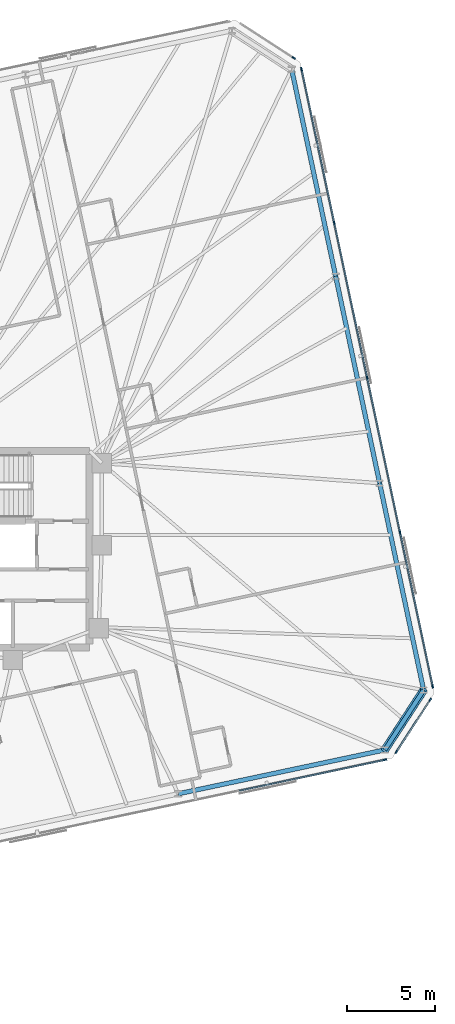
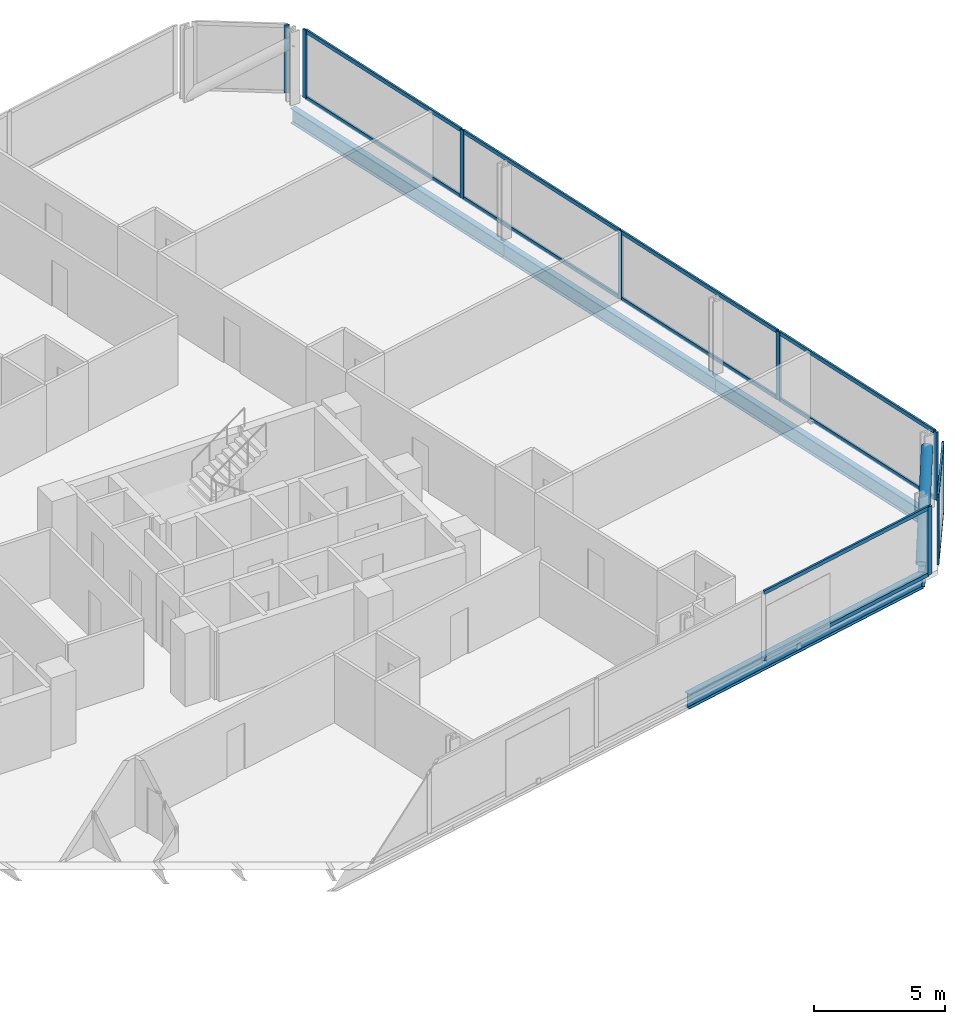
# One storey, part 12 of 19: 22 members, 5 beams, 4 elements without a shape of their own.
"""IFC4 building model written with IfcOpenShell, lengths in metres."""

from ifc_helpers import new_model, si_unit, direction, frame, origin, origin_2d, place, context, subcontext, project, spatial, rectangle, hollow_circle, i_section, extrude, material, material_profile, profile_set, type_object, element, aggregate, save


model = new_model("IFC4")

# Units and contexts
model_context = context("Model", 3, precision=1e-05, world=origin(), true_north=direction((0.0, 1.0)))
body_context = subcontext(model_context, "Body", "Model", "MODEL_VIEW")
ifc_project = project(units=[si_unit("LENGTHUNIT", "METRE"), si_unit("AREAUNIT", "SQUARE_METRE"), si_unit("VOLUMEUNIT", "CUBIC_METRE"), si_unit("PLANEANGLEUNIT", "RADIAN"), si_unit("MASSUNIT", "GRAM", prefix="KILO")], contexts=[model_context])

# Site, building, storey
site_placement = place(None, origin())
site = spatial("IfcSite", under=ifc_project, at=site_placement, CompositionType="ELEMENT")
building_placement = place(site_placement, origin())
building = spatial("IfcBuilding", under=site, at=building_placement, Name="Menara Jurai Vektor", CompositionType="ELEMENT")
storey_placement = place(building_placement, frame((0.0, 0.0, 182.0)))
storey = spatial("IfcBuildingStorey", under=building, at=storey_placement, Name="L47", CompositionType="ELEMENT", Elevation=182.0)

# Curtain wall, member
ifc_material_1 = material(Name="Anodised Pale Aluminium & Low-E Double Glazing", Category="aluminium")
curtain_wall_type = type_object("IfcCurtainWallType", Name="CW-BLK3", PredefinedType="NOTDEFINED", material=ifc_material_1)
curtain_wall_1_placement = place(storey_placement, origin())
curtain_wall_1 = element("IfcCurtainWall", 1, at=curtain_wall_1_placement, inside=storey, type_object=curtain_wall_type, Name="Unitised Curtain Wall L47 F01", PredefinedType="NOTDEFINED")
ifc_material_2 = material(Name="Anodised Pale Aluminium Mullion", Category="aluminium")
ifc_material_profile_1 = material_profile(ifc_material_2, rectangle(XDim=0.0849609375, YDim=0.205078125, at=origin_2d()), Name="ALU MUL 85x205")
ifc_profile_set_1 = profile_set([ifc_material_profile_1], Name="Anodised Pale Aluminium Mullion")
member_type_1 = type_object("IfcMemberType", Name="CW-BLK3-MUL", PredefinedType="MULLION", material=ifc_profile_set_1)
member_1_placement = place(storey_placement, frame((31.392578125, -11.99755859375, 0.0), z_axis=(0.0, 0.0, 1.0), x_axis=(-0.207911344156, 0.978147674419, 0.0)))
member_1 = element("IfcMember", 2, at=member_1_placement, type_object=member_type_1, Name="CW-03 mullion 8", PredefinedType="MULLION", context=body_context, shape_type="SweptSolid", body=[
    extrude(rectangle(XDim=0.0849609375, YDim=0.205078125, at=origin_2d()), origin(), (0.0, 0.0, 1.0), 3.175048828125),
])

# Curtain wall, members
curtain_wall_2_placement = place(storey_placement, origin())
curtain_wall_2 = element("IfcCurtainWall", 3, at=curtain_wall_2_placement, inside=storey, type_object=curtain_wall_type, Name="Unitised Curtain Wall L47 F02", PredefinedType="NOTDEFINED")
member_2_placement = place(storey_placement, frame((32.035888671875, -11.555419921875, 0.0), z_axis=(0.0, 0.0, 1.0), x_axis=(-0.838684361415, 0.544617794346, 0.0)))
member_2 = element("IfcMember", 4, at=member_2_placement, type_object=member_type_1, Name="CW-03 mullion 1", PredefinedType="MULLION", context=body_context, shape_type="SweptSolid", body=[
    extrude(rectangle(XDim=0.0849609375, YDim=0.205078125, at=origin_2d()), origin(), (0.0, 0.0, 1.0), 3.175048828125),
])
member_3_placement = place(storey_placement, frame((33.96337890625, -8.587158203125, 0.0), z_axis=(0.0, 0.0, 1.0), x_axis=(-0.838684361415, 0.544617794346, 0.0)))
member_3 = element("IfcMember", 5, at=member_3_placement, type_object=member_type_1, Name="CW-03 mullion 2", PredefinedType="MULLION", context=body_context, shape_type="SweptSolid", body=[
    extrude(rectangle(XDim=0.0849609375, YDim=0.205078125, at=origin_2d()), origin(), (0.0, 0.0, 1.0), 3.175048828125),
])

curtain_wall_3_placement = place(storey_placement, origin())
curtain_wall_3 = element("IfcCurtainWall", 6, at=curtain_wall_3_placement, inside=storey, type_object=curtain_wall_type, Name="Unitised Curtain Wall L47 F03", PredefinedType="NOTDEFINED")
member_4_placement = place(storey_placement, frame((34.105712890625, -7.819580078125, 0.0), z_axis=(0.0, 0.0, 1.0), x_axis=(-0.978147883949, -0.20791035839, 0.0)))
member_4 = element("IfcMember", 7, at=member_4_placement, type_object=member_type_1, Name="CW-03 mullion 1", PredefinedType="MULLION", context=body_context, shape_type="SweptSolid", body=[
    extrude(rectangle(XDim=0.0849609375, YDim=0.205078125, at=origin_2d()), origin(), (0.0, 0.0, 1.0), 3.175048828125),
])
member_5_placement = place(storey_placement, frame((32.2412109375, 0.951904296875, 0.0), z_axis=(0.0, 0.0, 1.0), x_axis=(-0.978147883949, -0.20791035839, 0.0)))
member_5 = element("IfcMember", 8, at=member_5_placement, type_object=member_type_1, Name="CW-03 mullion 2", PredefinedType="MULLION", context=body_context, shape_type="SweptSolid", body=[
    extrude(rectangle(XDim=0.0849609375, YDim=0.205078125, at=origin_2d()), origin(), (0.0, 0.0, 1.0), 3.175048828125),
])
member_6_placement = place(storey_placement, frame((30.367919921875, 9.76513671875, 0.0), z_axis=(0.0, 0.0, 1.0), x_axis=(-0.978147883949, -0.20791035839, 0.0)))
member_6 = element("IfcMember", 9, at=member_6_placement, type_object=member_type_1, Name="CW-03 mullion 3", PredefinedType="MULLION", context=body_context, shape_type="SweptSolid", body=[
    extrude(rectangle(XDim=0.0849609375, YDim=0.205078125, at=origin_2d()), origin(), (0.0, 0.0, 1.0), 3.175048828125),
])
member_7_placement = place(storey_placement, frame((28.49462890625, 18.578125, 0.0), z_axis=(0.0, 0.0, 1.0), x_axis=(-0.978147883949, -0.20791035839, 0.0)))
member_7 = element("IfcMember", 10, at=member_7_placement, type_object=member_type_1, Name="CW-03 mullion 4", PredefinedType="MULLION", context=body_context, shape_type="SweptSolid", body=[
    extrude(rectangle(XDim=0.0849609375, YDim=0.205078125, at=origin_2d()), origin(), (0.0, 0.0, 1.0), 3.175048828125),
])
member_8_placement = place(storey_placement, frame((26.630126953125, 27.349609375, 0.0), z_axis=(0.0, 0.0, 1.0), x_axis=(-0.978147883949, -0.20791035839, 0.0)))
member_8 = element("IfcMember", 11, at=member_8_placement, type_object=member_type_1, Name="CW-03 mullion 5", PredefinedType="MULLION", context=body_context, shape_type="SweptSolid", body=[
    extrude(rectangle(XDim=0.0849609375, YDim=0.205078125, at=origin_2d()), origin(), (0.0, 0.0, 1.0), 3.175048828125),
])

# Curtain wall, member
curtain_wall_4_placement = place(storey_placement, origin())
curtain_wall_4 = element("IfcCurtainWall", 12, at=curtain_wall_4_placement, inside=storey, type_object=curtain_wall_type, Name="Unitised Curtain Wall L47 F04", PredefinedType="NOTDEFINED")
member_9_placement = place(storey_placement, frame((26.18798828125, 27.9931640625, 0.0), z_axis=(0.0, 0.0, 1.0), x_axis=(-0.544617794346, -0.838684361415, 0.0)))
member_9 = element("IfcMember", 13, at=member_9_placement, type_object=member_type_1, Name="CW-03 mullion 1", PredefinedType="MULLION", context=body_context, shape_type="SweptSolid", body=[
    extrude(rectangle(XDim=0.0849609375, YDim=0.205078125, at=origin_2d()), origin(), (0.0, 0.0, 1.0), 3.175048828125),
])
aggregate(curtain_wall_4, [member_9])

# Member
ifc_material_3 = material(Name="Anodised Pale Aluminium Transom", Category="aluminium")
ifc_material_profile_2 = material_profile(ifc_material_3, rectangle(XDim=0.0849609375, YDim=0.175048828125, at=origin_2d()), Name="ALU TRN 85x175")
ifc_profile_set_2 = profile_set([ifc_material_profile_2], Name="Anodised Pale Aluminium Transom")
member_type_2 = type_object("IfcMemberType", Name="CW-BLK3-TRN", PredefinedType="USERDEFINED", material=ifc_profile_set_2)
member_10_placement = place(storey_placement, frame((23.0859375, -13.76318359375, 0.04248046875), z_axis=(0.978146953428, 0.207914736128, 0.0), x_axis=(-0.207914736128, 0.978146953428, 0.0)))
member_10 = element("IfcMember", 14, at=member_10_placement, type_object=member_type_2, Name="CW-03 transom 7.1", ObjectType="TRANSOM", PredefinedType="USERDEFINED", context=body_context, shape_type="SweptSolid", body=[
    extrude(rectangle(XDim=0.0849609375, YDim=0.175048828125, at=origin_2d()), origin(), (0.0, 0.0, 1.0), 8.44970703125),
])

member_11_placement = place(storey_placement, frame((23.0859375, -13.76318359375, 3.132568359375), z_axis=(0.978146953428, 0.207914736128, 0.0), x_axis=(-0.207914736128, 0.978146953428, 0.0)))
member_11 = element("IfcMember", 15, at=member_11_placement, type_object=member_type_2, Name="CW-03 transom 7.2", ObjectType="TRANSOM", PredefinedType="USERDEFINED", context=body_context, shape_type="SweptSolid", body=[
    extrude(rectangle(XDim=0.0849609375, YDim=0.175048828125, at=origin_2d()), origin(), (0.0, 0.0, 1.0), 8.44970703125),
])

aggregate(curtain_wall_1, [member_1, member_10, member_11])

member_12_placement = place(storey_placement, frame((32.05908203125, -11.519775390625, 0.04248046875), z_axis=(0.54459575764, 0.838698671014, 0.0), x_axis=(-0.838698671014, 0.54459575764, 0.0)))
member_12 = element("IfcMember", 16, at=member_12_placement, type_object=member_type_2, Name="CW-03 transom 1.1", ObjectType="TRANSOM", PredefinedType="USERDEFINED", context=body_context, shape_type="SweptSolid", body=[
    extrude(rectangle(XDim=0.0849609375, YDim=0.175048828125, at=origin_2d()), origin(), (0.0, 0.0, 1.0), 3.4541015625),
])

member_13_placement = place(storey_placement, frame((32.05908203125, -11.519775390625, 3.132568359375), z_axis=(0.54459575764, 0.838698671014, 0.0), x_axis=(-0.838698671014, 0.54459575764, 0.0)))
member_13 = element("IfcMember", 17, at=member_13_placement, type_object=member_type_2, Name="CW-03 transom 1.2", ObjectType="TRANSOM", PredefinedType="USERDEFINED", context=body_context, shape_type="SweptSolid", body=[
    extrude(rectangle(XDim=0.0849609375, YDim=0.175048828125, at=origin_2d()), origin(), (0.0, 0.0, 1.0), 3.4541015625),
])

aggregate(curtain_wall_2, [member_2, member_3, member_12, member_13])

member_14_placement = place(storey_placement, frame((34.096923828125, -7.778076171875, 0.04248046875), z_axis=(-0.207925814542, 0.978144598537, 0.0), x_axis=(-0.978144598537, -0.207925814542, 0.0)))
member_14 = element("IfcMember", 18, at=member_14_placement, type_object=member_type_2, Name="CW-03 transom 1.1", ObjectType="TRANSOM", PredefinedType="USERDEFINED", context=body_context, shape_type="SweptSolid", body=[
    extrude(rectangle(XDim=0.0849609375, YDim=0.175048828125, at=origin_2d()), origin(), (0.0, 0.0, 1.0), 8.882568359375),
])

member_15_placement = place(storey_placement, frame((34.096923828125, -7.778076171875, 3.132568359375), z_axis=(-0.207925814542, 0.978144598537, 0.0), x_axis=(-0.978144598537, -0.207925814542, 0.0)))
member_15 = element("IfcMember", 19, at=member_15_placement, type_object=member_type_2, Name="CW-03 transom 1.2", ObjectType="TRANSOM", PredefinedType="USERDEFINED", context=body_context, shape_type="SweptSolid", body=[
    extrude(rectangle(XDim=0.0849609375, YDim=0.175048828125, at=origin_2d()), origin(), (0.0, 0.0, 1.0), 8.882568359375),
])

member_16_placement = place(storey_placement, frame((32.232421875, 0.993408203125, 0.04248046875), z_axis=(-0.207922224243, 0.978145361726, 0.0), x_axis=(-0.978145361726, -0.207922224243, 0.0)))
member_16 = element("IfcMember", 20, at=member_16_placement, type_object=member_type_2, Name="CW-03 transom 2.1", ObjectType="TRANSOM", PredefinedType="USERDEFINED", context=body_context, shape_type="SweptSolid", body=[
    extrude(rectangle(XDim=0.0849609375, YDim=0.175048828125, at=origin_2d()), origin(), (0.0, 0.0, 1.0), 8.925048828125),
])

member_17_placement = place(storey_placement, frame((32.232421875, 0.993408203125, 3.132568359375), z_axis=(-0.207922224243, 0.978145361726, 0.0), x_axis=(-0.978145361726, -0.207922224243, 0.0)))
member_17 = element("IfcMember", 21, at=member_17_placement, type_object=member_type_2, Name="CW-03 transom 2.2", ObjectType="TRANSOM", PredefinedType="USERDEFINED", context=body_context, shape_type="SweptSolid", body=[
    extrude(rectangle(XDim=0.0849609375, YDim=0.175048828125, at=origin_2d()), origin(), (0.0, 0.0, 1.0), 8.925048828125),
])

member_18_placement = place(storey_placement, frame((30.359130859375, 9.806640625, 0.04248046875), z_axis=(-0.207922224243, 0.978145361726, 0.0), x_axis=(-0.978145361726, -0.207922224243, 0.0)))
member_18 = element("IfcMember", 22, at=member_18_placement, type_object=member_type_2, Name="CW-03 transom 3.1", ObjectType="TRANSOM", PredefinedType="USERDEFINED", context=body_context, shape_type="SweptSolid", body=[
    extrude(rectangle(XDim=0.0849609375, YDim=0.175048828125, at=origin_2d()), origin(), (0.0, 0.0, 1.0), 8.925048828125),
])

member_19_placement = place(storey_placement, frame((30.359130859375, 9.806640625, 3.132568359375), z_axis=(-0.207922224243, 0.978145361726, 0.0), x_axis=(-0.978145361726, -0.207922224243, 0.0)))
member_19 = element("IfcMember", 23, at=member_19_placement, type_object=member_type_2, Name="CW-03 transom 3.2", ObjectType="TRANSOM", PredefinedType="USERDEFINED", context=body_context, shape_type="SweptSolid", body=[
    extrude(rectangle(XDim=0.0849609375, YDim=0.175048828125, at=origin_2d()), origin(), (0.0, 0.0, 1.0), 8.925048828125),
])

member_20_placement = place(storey_placement, frame((28.48583984375, 18.61962890625, 0.04248046875), z_axis=(-0.207899517354, 0.978150188204, 0.0), x_axis=(-0.978150188204, -0.207899517354, 0.0)))
member_20 = element("IfcMember", 24, at=member_20_placement, type_object=member_type_2, Name="CW-03 transom 4.1", ObjectType="TRANSOM", PredefinedType="USERDEFINED", context=body_context, shape_type="SweptSolid", body=[
    extrude(rectangle(XDim=0.0849609375, YDim=0.175048828125, at=origin_2d()), origin(), (0.0, 0.0, 1.0), 8.882568359375),
])

member_21_placement = place(storey_placement, frame((28.48583984375, 18.61962890625, 3.132568359375), z_axis=(-0.207899517354, 0.978150188204, 0.0), x_axis=(-0.978150188204, -0.207899517354, 0.0)))
member_21 = element("IfcMember", 25, at=member_21_placement, type_object=member_type_2, Name="CW-03 transom 4.2", ObjectType="TRANSOM", PredefinedType="USERDEFINED", context=body_context, shape_type="SweptSolid", body=[
    extrude(rectangle(XDim=0.0849609375, YDim=0.175048828125, at=origin_2d()), origin(), (0.0, 0.0, 1.0), 8.882568359375),
])

aggregate(curtain_wall_3, [member_4, member_5, member_6, member_7, member_8, member_14, member_15, member_16, member_17, member_18, member_19, member_20, member_21])

ifc_material_4 = material(Name="Steel S460", Category="steel")
ifc_material_profile_3 = material_profile(ifc_material_4, hollow_circle(Radius=0.228515625, WallThickness=0.01611328125, at=origin_2d()), Name="CHS 457x16")
ifc_profile_set_3 = profile_set([ifc_material_profile_3], Name="Steel S460")
member_type_3 = type_object("IfcMemberType", Name="STR-BR-457", PredefinedType="BRACE", material=ifc_profile_set_3)
member_22_placement = place(storey_placement, frame((31.376220703125, -11.438720703125, 0.14990234375), z_axis=(0.454871874024, 0.700428396616, 0.549992399435), x_axis=(-0.838665998507, 0.544646071268, 0.0)))
element("IfcMember", 26, at=member_22_placement, inside=storey, type_object=member_type_3, Name="Exoskeleton Corner Brace L47-1", PredefinedType="BRACE", context=body_context, shape_type="SweptSolid", body=[
    extrude(hollow_circle(Radius=0.228515625, WallThickness=0.01611328125, at=origin_2d()), origin(), (0.0, 0.0, 1.0), 4.86376953125),
])

# Beams
ifc_material_profile_4 = material_profile(ifc_material_4, i_section(OverallWidth=0.256103515625, OverallDepth=0.693115234375, WebThickness=0.013916015625, FlangeThickness=0.02392578125, FilletRadius=0.014892578125, at=origin_2d()), Name="UKB 686x254x170")
ifc_profile_set_4 = profile_set([ifc_material_profile_4], Name="Steel S460")
beam_type = type_object("IfcBeamType", Name="STR-SP-686", PredefinedType="SPANDREL", material=ifc_profile_set_4)
beam_1_placement = place(storey_placement, frame((19.608154296875, -13.940185546875, -0.571533203125), z_axis=(0.97814616202, 0.207918459318, 0.0), x_axis=(-0.207918459318, 0.97814616202, 0.0)))
element("IfcBeam", 27, at=beam_1_placement, inside=storey, type_object=beam_type, Name="Exoskeleton Spandrel Beam L47-05", PredefinedType="SPANDREL", context=body_context, shape_type="SweptSolid", body=[
    extrude(i_section(OverallWidth=0.256103515625, OverallDepth=0.693115234375, WebThickness=0.013916015625, FlangeThickness=0.02392578125, FilletRadius=0.014892578125, at=origin_2d()), origin(), (0.0, 0.0, 1.0), 12.031005859375),
])
beam_2_placement = place(storey_placement, frame((31.376220703125, -11.438720703125, -0.571533203125), z_axis=(0.544646071268, 0.838665998507, 0.0), x_axis=(-0.838665998507, 0.544646071268, 0.0)))
element("IfcBeam", 28, at=beam_2_placement, inside=storey, type_object=beam_type, Name="Exoskeleton Spandrel Beam L47-06", PredefinedType="SPANDREL", context=body_context, shape_type="SweptSolid", body=[
    extrude(i_section(OverallWidth=0.256103515625, OverallDepth=0.693115234375, WebThickness=0.013916015625, FlangeThickness=0.02392578125, FilletRadius=0.014892578125, at=origin_2d()), origin(), (0.0, 0.0, 1.0), 4.06201171875),
])
beam_3_placement = place(storey_placement, frame((33.588623046875, -8.031982421875, -0.571533203125), z_axis=(-0.207925382659, 0.978144690343, 0.0), x_axis=(-0.978144690343, -0.207925382659, 0.0)))
element("IfcBeam", 29, at=beam_3_placement, inside=storey, type_object=beam_type, Name="Exoskeleton Spandrel Beam L47-07", PredefinedType="SPANDREL", context=body_context, shape_type="SweptSolid", body=[
    extrude(i_section(OverallWidth=0.256103515625, OverallDepth=0.693115234375, WebThickness=0.013916015625, FlangeThickness=0.02392578125, FilletRadius=0.014892578125, at=origin_2d()), origin(), (0.0, 0.0, 1.0), 12.0517578125),
])
for number, where, z_axis, x_axis, name in (
    (30, (31.082763671875, 3.75634765625, -0.571533203125), (-0.207901880993, 0.978149685825, 0.0), (-0.978149685825, -0.207901880993, 0.0), "Exoskeleton Spandrel Beam L47-08"),
    (31, (28.5771484375, 15.544921875, -0.571533203125), (-0.207921262698, 0.978145566119, 0.0), (-0.978145566119, -0.207921262698, 0.0), "Exoskeleton Spandrel Beam L47-09"),
):
    element("IfcBeam", number, at=place(storey_placement, frame(where, z_axis=z_axis, x_axis=x_axis)), inside=storey, type_object=beam_type, Name=name, PredefinedType="SPANDREL", context=body_context, shape_type="SweptSolid", body=[
        extrude(i_section(OverallWidth=0.256103515625, OverallDepth=0.693115234375, WebThickness=0.013916015625, FlangeThickness=0.02392578125, FilletRadius=0.014892578125, at=origin_2d()), origin(), (0.0, 0.0, 1.0), 12.052001953125),
    ])

save(model, "model.ifc")
